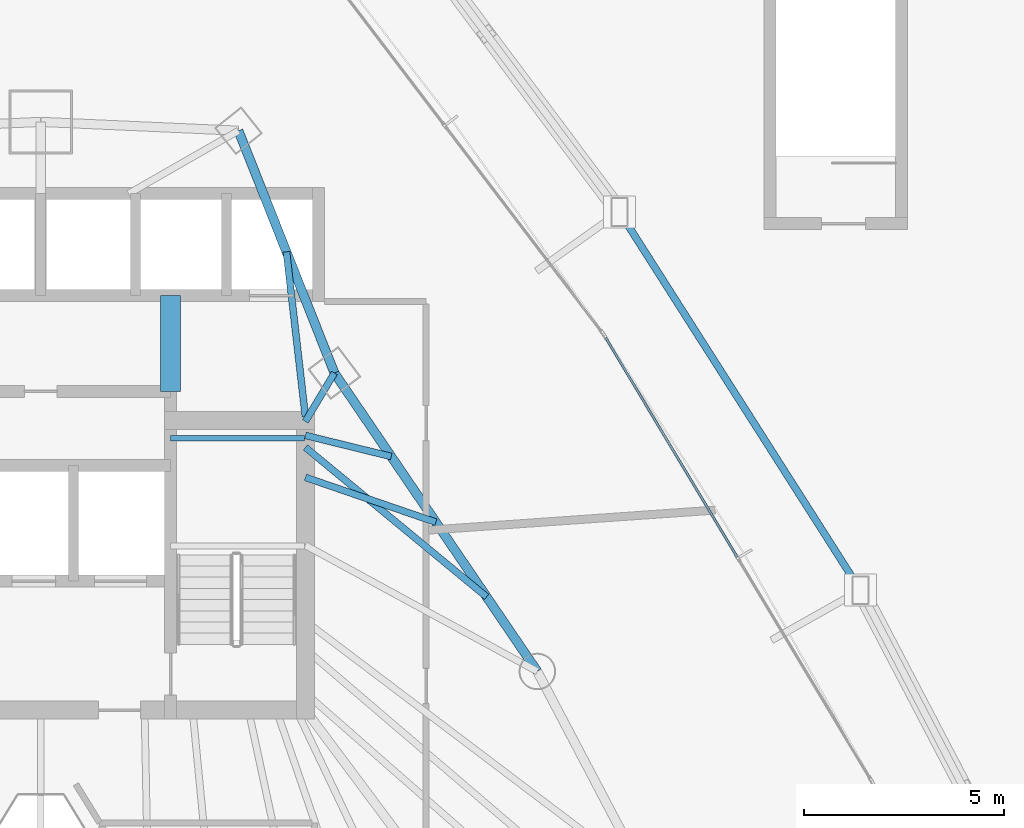
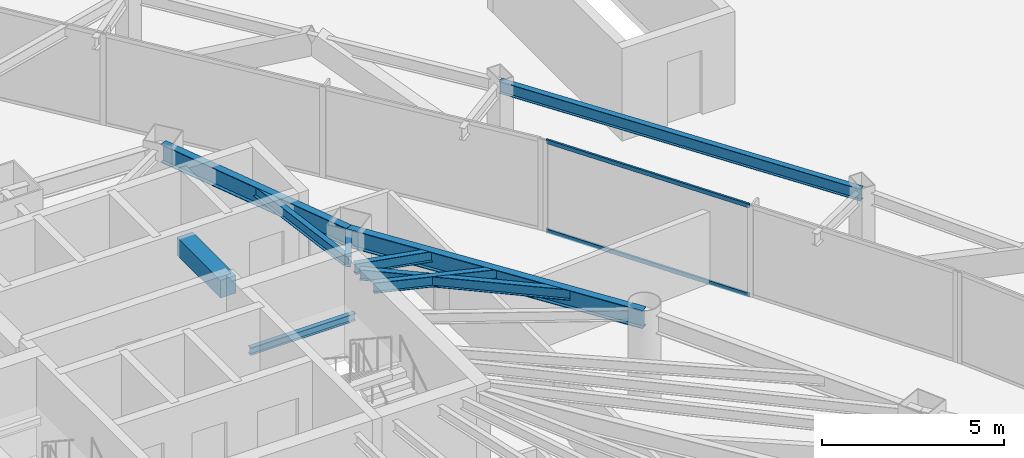
# One storey, part 25 of 36: 10 beams, 2 members, 1 element without a shape of its own.
"""IFC4 building model written with IfcOpenShell, lengths in metres."""

from ifc_helpers import new_model, si_unit, direction, frame, origin, origin_2d, place, context, subcontext, project, spatial, rectangle, hollow_rectangle, i_section, extrude, material, layer, layer_set, material_profile, profile_set, type_object, element, aggregate, save


model = new_model("IFC4")

# Units and contexts
model_context = context("Model", 3, precision=1e-05, world=origin(), true_north=direction((0.0, 1.0)))
body_context = subcontext(model_context, "Body", "Model", "MODEL_VIEW")
ifc_project = project(units=[si_unit("LENGTHUNIT", "METRE"), si_unit("AREAUNIT", "SQUARE_METRE"), si_unit("VOLUMEUNIT", "CUBIC_METRE"), si_unit("PLANEANGLEUNIT", "RADIAN"), si_unit("MASSUNIT", "GRAM", prefix="KILO")], contexts=[model_context])

# Site, building, storey
site_placement = place(None, origin())
site = spatial("IfcSite", under=ifc_project, at=site_placement, CompositionType="ELEMENT")
building_placement = place(site_placement, origin())
building = spatial("IfcBuilding", under=site, at=building_placement, Name="Orvanel Arch Residences", CompositionType="ELEMENT")
storey_placement = place(building_placement, frame((0.0, 0.0, 23.60009765625)))
storey = spatial("IfcBuildingStorey", under=building, at=storey_placement, Name="L05", CompositionType="ELEMENT", Elevation=23.60009765625)

# Beams
ifc_material_1 = material(Name="Structural steel AS/NZS 3679.1 Grade 300 (300 MPa)", Category="steel")
ifc_material_profile_1 = material_profile(ifc_material_1, i_section(OverallWidth=0.14599609375, OverallDepth=0.251953125, WebThickness=0.006103515625, FlangeThickness=0.008544921875, at=origin_2d()), Name="250UB31.4")
ifc_profile_set_1 = profile_set([ifc_material_profile_1], Name="Structural steel AS/NZS 3679.1 Grade 300 (300 MPa)")
beam_type_1 = type_object("IfcBeamType", Name="BJ-250UB", PredefinedType="JOIST", material=ifc_profile_set_1)
beam_1_placement = place(storey_placement, frame((36.25, 33.47998046875, 1.323974609375), z_axis=(1.0, 0.0, 0.0), x_axis=(0.0, 1.0, 0.0)))
element("IfcBeam", 1, at=beam_1_placement, inside=storey, type_object=beam_type_1, Name="L05 ST-2 Half-Landing Support Beam 1.2", PredefinedType="JOIST", context=body_context, shape_type="SweptSolid", body=[
    extrude(i_section(OverallWidth=0.14599609375, OverallDepth=0.251953125, WebThickness=0.006103515625, FlangeThickness=0.008544921875, at=origin_2d()), origin(), (0.0, 0.0, 1.0), 3.35009765625),
])
ifc_material_profile_2 = material_profile(ifc_material_1, i_section(OverallWidth=0.1708984375, OverallDepth=0.35595703125, WebThickness=0.00732421875, FlangeThickness=0.011474609375, at=origin_2d()), Name="360UB50.7")
ifc_profile_set_2 = profile_set([ifc_material_profile_2], Name="Structural steel AS/NZS 3679.1 Grade 300 (300 MPa)")
beam_type_2 = type_object("IfcBeamType", Name="BJ-360UB", PredefinedType="JOIST", material=ifc_profile_set_2)
beam_2_placement = place(storey_placement, frame((39.625, 33.89990234375, 2.8818359375), z_axis=(0.514064138778, 0.857751748015, 0.0), x_axis=(-0.857751748015, 0.514064138778, 0.0)))
element("IfcBeam", 2, at=beam_2_placement, inside=storey, type_object=beam_type_2, Name="L05 NNE Wing Floor Joist", PredefinedType="JOIST", context=body_context, shape_type="SweptSolid", body=[
    extrude(i_section(OverallWidth=0.1708984375, OverallDepth=0.35595703125, WebThickness=0.00732421875, FlangeThickness=0.011474609375, at=origin_2d()), origin(), (0.0, 0.0, 1.0), 1.414306640625),
])
beam_3_placement = place(storey_placement, frame((39.625, 34.02001953125, 2.8818359375), z_axis=(-0.114186670431, 0.993459311847, 0.0), x_axis=(-0.993459311847, -0.114186670431, 0.0)))
element("IfcBeam", 3, at=beam_3_placement, inside=storey, type_object=beam_type_2, Name="L05 NNE2 Wing Floor Joist", PredefinedType="JOIST", context=body_context, shape_type="SweptSolid", body=[
    extrude(i_section(OverallWidth=0.1708984375, OverallDepth=0.35595703125, WebThickness=0.00732421875, FlangeThickness=0.011474609375, at=origin_2d()), origin(), (0.0, 0.0, 1.0), 4.152099609375),
])
beam_4_placement = place(storey_placement, frame((39.625, 32.5, 2.8818359375), z_axis=(0.945658073701, -0.325162740247, 0.0), x_axis=(0.325162740247, 0.945658073701, 0.0)))
element("IfcBeam", 4, at=beam_4_placement, inside=storey, type_object=beam_type_2, Name="L05 ENE Wing Floor Joist", PredefinedType="JOIST", context=body_context, shape_type="SweptSolid", body=[
    extrude(i_section(OverallWidth=0.1708984375, OverallDepth=0.35595703125, WebThickness=0.00732421875, FlangeThickness=0.011474609375, at=origin_2d()), origin(), (0.0, 0.0, 1.0), 3.453857421875),
])
beam_5_placement = place(storey_placement, frame((39.625, 33.25, 2.8818359375), z_axis=(0.771468562814, -0.636267441089, 0.0), x_axis=(0.636267441089, 0.771468562814, 0.0)))
element("IfcBeam", 5, at=beam_5_placement, inside=storey, type_object=beam_type_2, Name="L05 LE Wing Floor Joist", PredefinedType="JOIST", context=body_context, shape_type="SweptSolid", body=[
    extrude(i_section(OverallWidth=0.1708984375, OverallDepth=0.35595703125, WebThickness=0.00732421875, FlangeThickness=0.011474609375, at=origin_2d()), origin(), (0.0, 0.0, 1.0), 5.879638671875),
])
beam_6_placement = place(storey_placement, frame((39.625, 33.550048828125, 2.8818359375), z_axis=(0.971005818547, -0.239055851942, 0.0), x_axis=(0.239055851942, 0.971005818547, 0.0)))
element("IfcBeam", 6, at=beam_6_placement, inside=storey, type_object=beam_type_2, Name="L05 JADD4 Wing Floor Joist", PredefinedType="JOIST", context=body_context, shape_type="SweptSolid", body=[
    extrude(i_section(OverallWidth=0.1708984375, OverallDepth=0.35595703125, WebThickness=0.00732421875, FlangeThickness=0.011474609375, at=origin_2d()), origin(), (0.0, 0.0, 1.0), 2.213134765625),
])
ifc_material_2 = material(Name="Concrete S65 (65 MPa)", Category="concrete")
ifc_material_profile_3 = material_profile(ifc_material_2, rectangle(XDim=0.5, YDim=0.60009765625, at=origin_2d()), Name="RC500x600")
ifc_profile_set_3 = profile_set([ifc_material_profile_3], Name="Concrete S65 (65 MPa)")
beam_type_3 = type_object("IfcBeamType", Name="CB-500x600", PredefinedType="LINTEL", material=ifc_profile_set_3)
beam_7_placement = place(storey_placement, frame((36.25, 34.64990234375, 2.760009765625), z_axis=(0.0, 1.0, 0.0), x_axis=(-1.0, 0.0, 0.0)))
element("IfcBeam", 7, at=beam_7_placement, inside=storey, type_object=beam_type_3, Name="L05 East Core Lobby Coupling Lintel Beam", PredefinedType="LINTEL", context=body_context, shape_type="SweptSolid", body=[
    extrude(rectangle(XDim=0.5, YDim=0.60009765625, at=origin_2d()), origin(), (0.0, 0.0, 1.0), 2.400146484375),
])
ifc_material_profile_4 = material_profile(ifc_material_1, i_section(OverallWidth=0.177978515625, OverallDepth=0.406005859375, WebThickness=0.0078125, FlangeThickness=0.0126953125, at=origin_2d()), Name="410UB59.7")
ifc_profile_set_4 = profile_set([ifc_material_profile_4], Name="Structural steel AS/NZS 3679.1 Grade 300 (300 MPa)")
beam_type_4 = type_object("IfcBeamType", Name="OB-410UB-EXT", PredefinedType="SPANDREL", material=ifc_profile_set_4)
beam_8_placement = place(storey_placement, frame((53.51904296875, 29.675048828125, 2.85693359375), z_axis=(-0.537187878794, 0.843462614985, 0.0), x_axis=(-0.843462614985, -0.537187878794, 0.0)))
element("IfcBeam", 8, at=beam_8_placement, inside=storey, type_object=beam_type_4, Name="L05 Outer Perimeter Floor Ring Beam 10", PredefinedType="SPANDREL", context=body_context, shape_type="SweptSolid", body=[
    extrude(i_section(OverallWidth=0.177978515625, OverallDepth=0.406005859375, WebThickness=0.0078125, FlangeThickness=0.0126953125, at=origin_2d()), origin(), (0.0, 0.0, 1.0), 11.22509765625),
])
ifc_material_profile_5 = material_profile(ifc_material_1, i_section(OverallWidth=0.22900390625, OverallDepth=0.612060546875, WebThickness=0.011962890625, FlangeThickness=0.01953125, at=origin_2d()), Name="610UB125")
ifc_profile_set_5 = profile_set([ifc_material_profile_5], Name="Structural steel AS/NZS 3679.1 Grade 300 (300 MPa)")
beam_type_5 = type_object("IfcBeamType", Name="SP-610UB", PredefinedType="SPANDREL", material=ifc_profile_set_5)
beam_9_placement = place(storey_placement, frame((45.430908203125, 27.64111328125, 2.75390625), z_axis=(-0.562154793153, 0.827032035978, 0.0), x_axis=(-0.827032035978, -0.562154793153, 0.0)))
element("IfcBeam", 9, at=beam_9_placement, inside=storey, type_object=beam_type_5, Name="L05 Perimeter Spandrel Beam 14", PredefinedType="SPANDREL", context=body_context, shape_type="SweptSolid", body=[
    extrude(i_section(OverallWidth=0.22900390625, OverallDepth=0.612060546875, WebThickness=0.011962890625, FlangeThickness=0.01953125, at=origin_2d()), origin(), (0.0, 0.0, 1.0), 9.03466796875),
])
beam_10_placement = place(storey_placement, frame((40.35205078125, 35.113037109375, 2.75390625), z_axis=(-0.368233143579, 0.929733484376, 0.0), x_axis=(-0.929733484376, -0.368233143579, 0.0)))
element("IfcBeam", 10, at=beam_10_placement, inside=storey, type_object=beam_type_5, Name="L05 Perimeter Spandrel Beam 15", PredefinedType="SPANDREL", context=body_context, shape_type="SweptSolid", body=[
    extrude(i_section(OverallWidth=0.22900390625, OverallDepth=0.612060546875, WebThickness=0.011962890625, FlangeThickness=0.01953125, at=origin_2d()), origin(), (0.0, 0.0, 1.0), 6.523193359375),
])

# Curtain wall, members
ifc_material_3 = material(Name="Bronze-anodised aluminium AA6063-T6", Category="aluminium")
ifc_layer = layer(ifc_material_3, 0.179931640625)
ifc_layer_set = layer_set([ifc_layer], Name="Bronze-anodised aluminium AA6063-T6")
curtain_wall_type = type_object("IfcCurtainWallType", Name="CW2-LOW-SYS", PredefinedType="NOTDEFINED", material=ifc_layer_set)
curtain_wall_placement = place(storey_placement, origin())
curtain_wall = element("IfcCurtainWall", 11, at=curtain_wall_placement, inside=storey, type_object=curtain_wall_type, Name="L05 CW2-LOW-SYS Unitised Curtain Wall", PredefinedType="NOTDEFINED")
ifc_material_profile_6 = material_profile(ifc_material_3, hollow_rectangle(XDim=0.06005859375, YDim=0.135009765625, WallThickness=0.00390625, at=origin_2d()), Name="ALU135x60x4")
ifc_profile_set_6 = profile_set([ifc_material_profile_6], Name="Bronze-anodised aluminium AA6063-T6")
member_type = type_object("IfcMemberType", Name="TRN-135x60", PredefinedType="USERDEFINED", material=ifc_profile_set_6)
member_1_placement = place(storey_placement, frame((50.431884765625, 30.509521484375, 0.02978515625), z_axis=(-0.514411623983, 0.857543398967, 0.0), x_axis=(-0.857543398967, -0.514411623983, 0.0)))
member_1 = element("IfcMember", 12, at=member_1_placement, type_object=member_type, Name="CW-S2 transom 2.1", ObjectType="TRANSOM", PredefinedType="USERDEFINED", context=body_context, shape_type="SweptSolid", body=[
    extrude(hollow_rectangle(XDim=0.06005859375, YDim=0.135009765625, WallThickness=0.00390625, at=origin_2d()), origin(), (0.0, 0.0, 1.0), 6.4013671875),
])
member_2_placement = place(storey_placement, frame((50.431884765625, 30.509521484375, 3.02978515625), z_axis=(-0.514411623983, 0.857543398967, 0.0), x_axis=(-0.857543398967, -0.514411623983, 0.0)))
member_2 = element("IfcMember", 13, at=member_2_placement, type_object=member_type, Name="CW-S2 transom 2.2", ObjectType="TRANSOM", PredefinedType="USERDEFINED", context=body_context, shape_type="SweptSolid", body=[
    extrude(hollow_rectangle(XDim=0.06005859375, YDim=0.135009765625, WallThickness=0.00390625, at=origin_2d()), origin(), (0.0, 0.0, 1.0), 6.4013671875),
])
aggregate(curtain_wall, [member_1, member_2])

save(model, "model.ifc")
